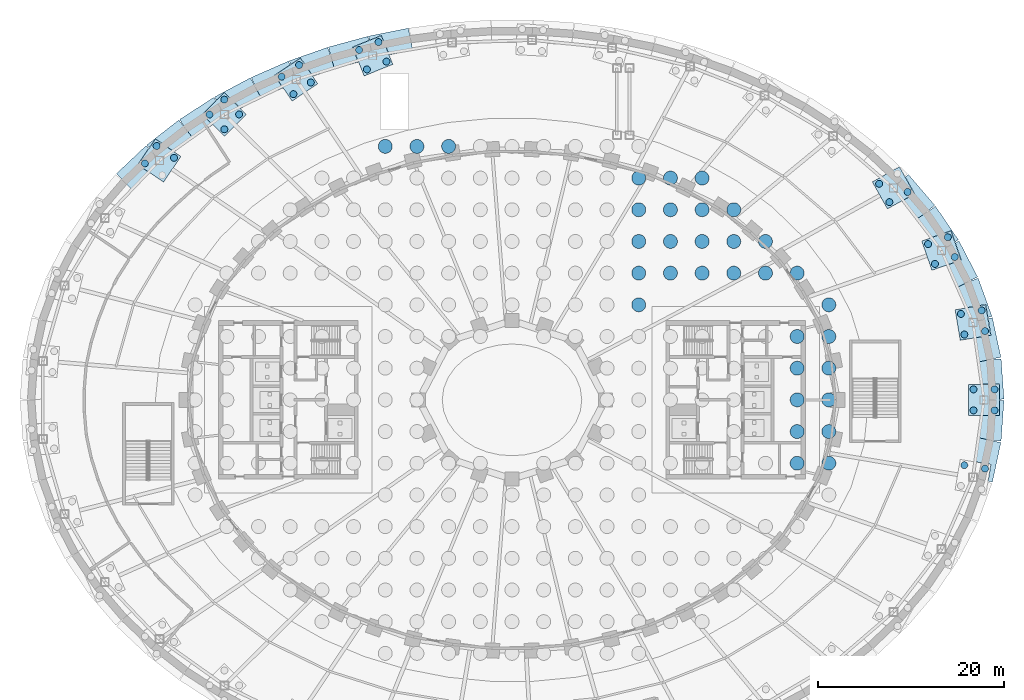
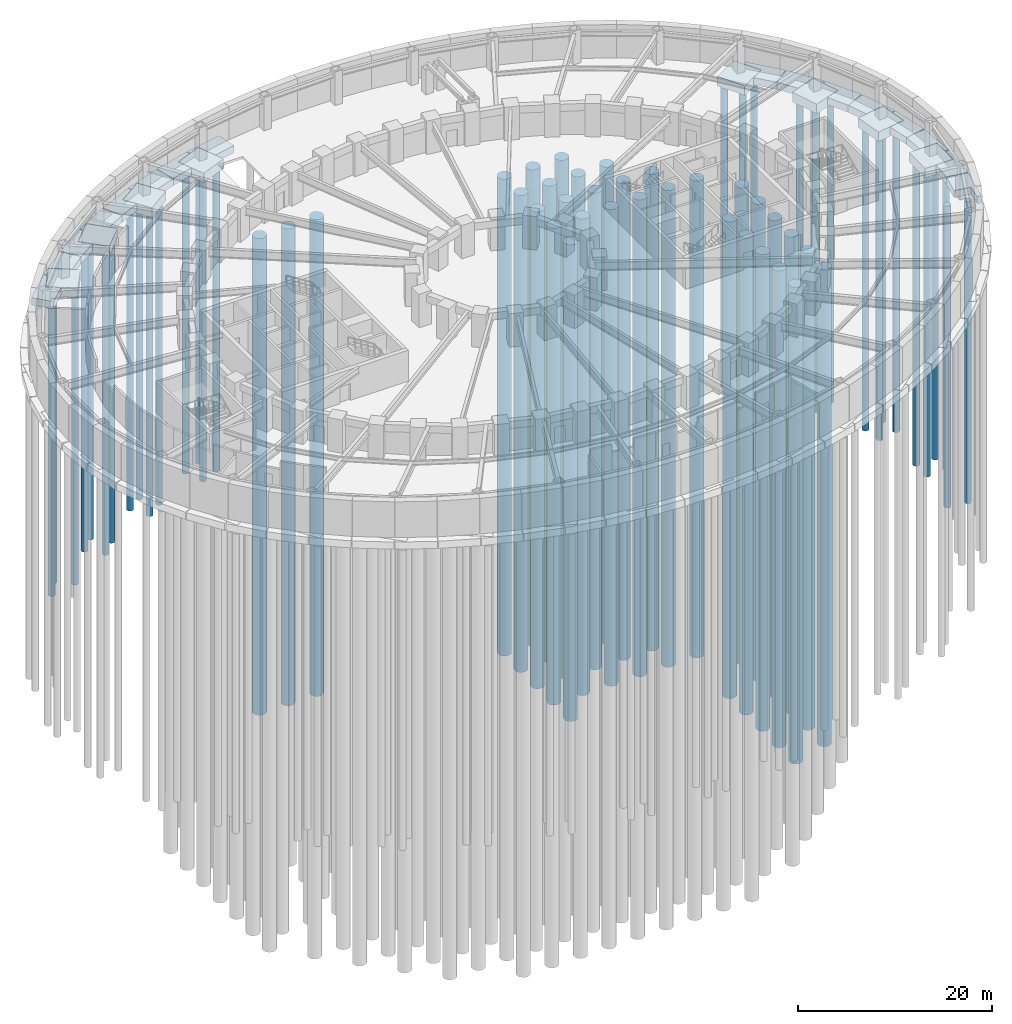
# One storey, part 4 of 19: 65 piles, 24 footings.
"""IFC4 building model written with IfcOpenShell, lengths in metres."""

from ifc_helpers import new_model, si_unit, direction, frame, origin, origin_2d, place, context, subcontext, project, spatial, polyline, circle, outline, extrude, material, layer, layer_set, material_profile, profile_set, type_object, element, save


model = new_model("IFC4")

# Units and contexts
model_context = context("Model", 3, precision=1e-05, world=origin(), true_north=direction((0.0, 1.0)))
body_context = subcontext(model_context, "Body", "Model", "MODEL_VIEW")
ifc_project = project(units=[si_unit("LENGTHUNIT", "METRE"), si_unit("AREAUNIT", "SQUARE_METRE"), si_unit("VOLUMEUNIT", "CUBIC_METRE"), si_unit("PLANEANGLEUNIT", "RADIAN"), si_unit("MASSUNIT", "GRAM", prefix="KILO")], contexts=[model_context])

# Site, building, storey
site_placement = place(None, origin())
site = spatial("IfcSite", under=ifc_project, at=site_placement, CompositionType="ELEMENT")
building_placement = place(site_placement, origin())
building = spatial("IfcBuilding", under=site, at=building_placement, Name="Noorbagh Ring Tower", CompositionType="ELEMENT")
storey_placement = place(building_placement, frame((0.0, 0.0, -8.39990234375)))
storey = spatial("IfcBuildingStorey", under=building, at=storey_placement, Name="B2", CompositionType="ELEMENT", Elevation=-8.39990234375)

# Footings
ifc_material_1 = material(Name="Concrete C50/60", Category="concrete")
ifc_layer_1 = layer(ifc_material_1, 1.199951171875)
ifc_layer_set_1 = layer_set([ifc_layer_1], Name="Concrete C50/60")
footing_type_1 = type_object("IfcFootingType", Name="GND-PODIUM-CAP", PredefinedType="PILE_CAP", material=ifc_layer_set_1)
footing_1_placement = place(storey_placement, frame((0.0, 0.0, -1.5)))
element("IfcFooting", 1, at=footing_1_placement, inside=storey, type_object=footing_type_1, Name="B2/cap/RP-01", PredefinedType="PILE_CAP", context=body_context, shape_type="SweptSolid", body=[
    extrude(outline(polyline([(48.986572265625, -1.659912109375), (52.306640625, -1.659912109375), (52.306640625, 1.659912109375), (48.986572265625, 1.659912109375), (48.986572265625, -1.659912109375)])), origin(), (0.0, 0.0, 1.0), 1.199951171875),
])
footing_2_placement = place(storey_placement, frame((0.0, 0.0, -1.5)))
element("IfcFooting", 2, at=footing_2_placement, inside=storey, type_object=footing_type_1, Name="B2/cap/RP-02", PredefinedType="PILE_CAP", context=body_context, shape_type="SweptSolid", body=[
    extrude(outline(polyline([(48.0986328125, 6.392333984375), (51.372802734375, 6.942138671875), (50.8232421875, 10.21630859375), (47.549072265625, 9.66650390625), (48.0986328125, 6.392333984375)])), origin(), (0.0, 0.0, 1.0), 1.199951171875),
])
footing_3_placement = place(storey_placement, frame((0.0, 0.0, -1.5)))
element("IfcFooting", 3, at=footing_3_placement, inside=storey, type_object=footing_type_1, Name="B2/cap/RP-03", PredefinedType="PILE_CAP", context=body_context, shape_type="SweptSolid", body=[
    extrude(outline(polyline([(45.05859375, 13.908203125), (48.1943359375, 14.998291015625), (47.104248046875, 18.13427734375), (43.96826171875, 17.0439453125), (45.05859375, 13.908203125)])), origin(), (0.0, 0.0, 1.0), 1.199951171875),
])
footing_4_placement = place(storey_placement, frame((0.0, 0.0, -1.5)))
element("IfcFooting", 4, at=footing_4_placement, inside=storey, type_object=footing_type_1, Name="B2/cap/RP-04", PredefinedType="PILE_CAP", context=body_context, shape_type="SweptSolid", body=[
    extrude(outline(polyline([(40.283447265625, 20.492431640625), (43.18505859375, 22.10546875), (41.572265625, 25.00732421875), (38.67041015625, 23.394287109375), (40.283447265625, 20.492431640625)])), origin(), (0.0, 0.0, 1.0), 1.199951171875),
])
footing_5_placement = place(storey_placement, frame((0.0, 0.0, -1.5)))
element("IfcFooting", 5, at=footing_5_placement, inside=storey, type_object=footing_type_1, Name="B2/cap/RP-11", PredefinedType="PILE_CAP", context=body_context, shape_type="SweptSolid", body=[
    extrude(outline(polyline([(-12.784423828125, 36.009033203125), (-14.030029296875, 39.086669921875), (-17.107666015625, 37.8408203125), (-15.862060546875, 34.763427734375), (-12.784423828125, 36.009033203125)])), origin(), (0.0, 0.0, 1.0), 1.199951171875),
])
footing_6_placement = place(storey_placement, frame((0.0, 0.0, -1.5)))
element("IfcFooting", 6, at=footing_6_placement, inside=storey, type_object=footing_type_1, Name="B2/cap/RP-12", PredefinedType="PILE_CAP", context=body_context, shape_type="SweptSolid", body=[
    extrude(outline(polyline([(-20.848388671875, 33.918212890625), (-22.703125, 36.671875), (-25.456787109375, 34.81689453125), (-23.601806640625, 32.0634765625), (-20.848388671875, 33.918212890625)])), origin(), (0.0, 0.0, 1.0), 1.199951171875),
])
footing_7_placement = place(storey_placement, frame((0.0, 0.0, -1.5)))
element("IfcFooting", 7, at=footing_7_placement, inside=storey, type_object=footing_type_1, Name="B2/cap/RP-13", PredefinedType="PILE_CAP", context=body_context, shape_type="SweptSolid", body=[
    extrude(outline(polyline([(-28.521728515625, 30.63818359375), (-30.87841796875, 32.9765625), (-33.216796875, 30.619873046875), (-30.860107421875, 28.281494140625), (-28.521728515625, 30.63818359375)])), origin(), (0.0, 0.0, 1.0), 1.199951171875),
])
footing_8_placement = place(storey_placement, frame((0.0, 0.0, -1.5)))
element("IfcFooting", 8, at=footing_8_placement, inside=storey, type_object=footing_type_1, Name="B2/cap/RP-14", PredefinedType="PILE_CAP", context=body_context, shape_type="SweptSolid", body=[
    extrude(outline(polyline([(-35.52734375, 26.12109375), (-38.2744140625, 27.985595703125), (-40.138916015625, 25.238525390625), (-37.391845703125, 23.3740234375), (-35.52734375, 26.12109375)])), origin(), (0.0, 0.0, 1.0), 1.199951171875),
])

# Piles
ifc_material_2 = material(Name="Concrete C50/60", Category="concrete")
ifc_material_profile_1 = material_profile(ifc_material_2, circle(Radius=0.375, at=origin_2d()), Name="PILE750")
ifc_profile_set_1 = profile_set([ifc_material_profile_1], Name="Concrete C50/60")
pile_type_1 = type_object("IfcPileType", Name="GND-PODIUM-PILE", PredefinedType="BORED", material=ifc_profile_set_1)
for number, where, z_axis, x_axis, name in (
    (9, (49.521484375, -1.125, -1.400146484375), (0.0, 0.0, -1.0), (1.0, 0.0, 0.0), "B2/pile/RP-01-1"),
    (10, (49.521484375, 1.125, -1.400146484375), (0.0, 0.0, -1.0), (1.0, 0.0, 0.0), "B2/pile/RP-01-2"),
    (11, (51.771484375, -1.125, -1.400146484375), (0.0, 0.0, -1.0), (1.0, 0.0, 0.0), "B2/pile/RP-01-3"),
    (12, (51.771484375, 1.125, -1.400146484375), (0.0, 0.0, -1.0), (1.0, 0.0, 0.0), "B2/pile/RP-01-4"),
    (13, (48.537841796875, 7.008544921875, -1.400146484375), (0.0, 0.0, -1.0), (1.0, 0.0, 0.0), "B2/pile/RP-02-1"),
    (14, (48.165283203125, 9.2275390625, -1.400146484375), (0.0, 0.0, -1.0), (1.0, 0.0, 0.0), "B2/pile/RP-02-2"),
    (15, (50.7568359375, 7.381103515625, -1.400146484375), (0.0, 0.0, -1.0), (1.0, 0.0, 0.0), "B2/pile/RP-02-3"),
    (16, (50.38427734375, 9.60009765625, -1.400146484375), (0.0, 0.0, -1.0), (1.0, 0.0, 0.0), "B2/pile/RP-02-4"),
    (17, (45.38818359375, 14.589111328125, -1.400146484375), (0.0, 0.0, -1.0), (1.0, 0.0, 0.0), "B2/pile/RP-03-1"),
    (18, (44.649169921875, 16.71435546875, -1.400146484375), (0.0, 0.0, -1.0), (1.0, 0.0, 0.0), "B2/pile/RP-03-2"),
    (19, (47.513427734375, 15.328125, -1.400146484375), (0.0, 0.0, -1.0), (1.0, 0.0, 0.0), "B2/pile/RP-03-3"),
    (20, (46.7744140625, 17.453125, -1.400146484375), (0.0, 0.0, -1.0), (1.0, 0.0, 0.0), "B2/pile/RP-03-4"),
    (21, (40.490966796875, 21.219970703125, -1.400146484375), (0.0, 0.0, -1.0), (1.0, 0.0, 0.0), "B2/pile/RP-04-1"),
    (22, (39.39794921875, 23.186767578125, -1.400146484375), (0.0, 0.0, -1.0), (1.0, 0.0, 0.0), "B2/pile/RP-04-2"),
    (23, (42.45751953125, 22.313232421875, -1.400146484375), (0.0, 0.0, -1.0), (1.0, 0.0, 0.0), "B2/pile/RP-04-3"),
    (24, (-13.481201171875, 36.30419921875, -1.400146484375), (0.0, 0.0, -1.0), (1.0, 0.0, 0.0), "B2/pile/RP-11-1"),
    (25, (-15.566650390625, 35.460205078125, -1.400146484375), (0.0, 0.0, -1.0), (1.0, 0.0, 0.0), "B2/pile/RP-11-2"),
    (26, (-14.325439453125, 38.389892578125, -1.400146484375), (0.0, 0.0, -1.0), (1.0, 0.0, 0.0), "B2/pile/RP-11-3"),
    (27, (-16.410888671875, 37.545654296875, -1.400146484375), (0.0, 0.0, -1.0), (1.0, 0.0, 0.0), "B2/pile/RP-11-4"),
    (28, (-21.5908203125, 34.063232421875, -1.400146484375), (0.0, 0.0, -1.0), (1.0, 0.0, 0.0), "B2/pile/RP-12-1"),
    (29, (-23.45703125, 32.805908203125, -1.400146484375), (0.0, 0.0, -1.0), (1.0, 0.0, 0.0), "B2/pile/RP-12-2"),
    (30, (-22.847900390625, 35.92919921875, -1.400146484375), (0.0, 0.0, -1.0), (1.0, 0.0, 0.0), "B2/pile/RP-12-3"),
    (31, (-24.714111328125, 34.672119140625, -1.400146484375), (0.0, 0.0, -1.0), (1.0, 0.0, 0.0), "B2/pile/RP-12-4"),
    (32, (-29.2783203125, 30.63525390625, -1.400146484375), (0.0, 0.0, -1.0), (1.0, 0.0, 0.0), "B2/pile/RP-13-1"),
    (33, (-30.863037109375, 29.0380859375, -1.400146484375), (0.0, 0.0, -1.0), (1.0, 0.0, 0.0), "B2/pile/RP-13-2"),
    (34, (-30.87548828125, 32.219970703125, -1.400146484375), (0.0, 0.0, -1.0), (1.0, 0.0, 0.0), "B2/pile/RP-13-3"),
    (35, (-32.460205078125, 30.622802734375, -1.400146484375), (0.0, 0.0, -1.0), (1.0, 0.0, 0.0), "B2/pile/RP-13-4"),
    (36, (-36.2705078125, 25.978759765625, -1.400146484375), (0.0, 0.0, -1.0), (1.0, 0.0, 0.0), "B2/pile/RP-14-1"),
    (37, (-38.132080078125, 27.242431640625, -1.400146484375), (0.0, 0.0, -1.0), (1.0, 0.0, 0.0), "B2/pile/RP-14-3"),
    (38, (-39.395751953125, 25.380859375, -1.400146484375), (0.0, 0.0, -1.0), (1.0, 0.0, 0.0), "B2/pile/RP-14-4"),
    (39, (48.537841796875, -7.008544921875, -1.400146484375), (0.0, 0.0, -1.0), (1.0, 0.0, 0.0), "B2/pile/RP-33-2"),
    (40, (50.7568359375, -7.381103515625, -1.400146484375), (0.0, 0.0, -1.0), (1.0, 0.0, 0.0), "B2/pile/RP-33-4"),
):
    element("IfcPile", number, at=place(storey_placement, frame(where, z_axis=z_axis, x_axis=x_axis)), inside=storey, type_object=pile_type_1, Name=name, PredefinedType="BORED", context=body_context, shape_type="SweptSolid", body=[
        extrude(circle(Radius=0.375, at=origin_2d()), origin(), (0.0, 0.0, 1.0), 38.0),
    ])
ifc_material_3 = material(Name="Concrete C40/50", Category="concrete")
ifc_material_profile_2 = material_profile(ifc_material_3, circle(Radius=0.75, at=origin_2d()), Name="PILE1500")
ifc_profile_set_2 = profile_set([ifc_material_profile_2], Name="Concrete C40/50")
pile_type_2 = type_object("IfcPileType", Name="STR-PILE", PredefinedType="BORED", material=ifc_profile_set_2)
for number, where, z_axis, x_axis, name in (
    (41, (-13.60009765625, 27.199951171875, -4.2001953125), (0.0, 0.0, -1.0), (1.0, 0.0, 0.0), "B2/pile/052"),
    (42, (-10.199951171875, 27.199951171875, -4.2001953125), (0.0, 0.0, -1.0), (1.0, 0.0, 0.0), "B2/pile/069"),
    (43, (-6.800048828125, 27.199951171875, -4.2001953125), (0.0, 0.0, -1.0), (1.0, 0.0, 0.0), "B2/pile/083"),
    (44, (13.60009765625, 10.199951171875, -4.2001953125), (0.0, 0.0, -1.0), (1.0, 0.0, 0.0), "B2/pile/166"),
    (45, (13.60009765625, 13.60009765625, -4.2001953125), (0.0, 0.0, -1.0), (1.0, 0.0, 0.0), "B2/pile/167"),
    (46, (13.60009765625, 17.0, -4.2001953125), (0.0, 0.0, -1.0), (1.0, 0.0, 0.0), "B2/pile/168"),
    (47, (13.60009765625, 20.39990234375, -4.2001953125), (0.0, 0.0, -1.0), (1.0, 0.0, 0.0), "B2/pile/169"),
    (48, (13.60009765625, 23.800048828125, -4.2001953125), (0.0, 0.0, -1.0), (1.0, 0.0, 0.0), "B2/pile/170"),
    (49, (17.0, 13.60009765625, -4.2001953125), (0.0, 0.0, -1.0), (1.0, 0.0, 0.0), "B2/pile/176"),
    (50, (17.0, 17.0, -4.2001953125), (0.0, 0.0, -1.0), (1.0, 0.0, 0.0), "B2/pile/177"),
    (51, (17.0, 20.39990234375, -4.2001953125), (0.0, 0.0, -1.0), (1.0, 0.0, 0.0), "B2/pile/178"),
    (52, (17.0, 23.800048828125, -4.2001953125), (0.0, 0.0, -1.0), (1.0, 0.0, 0.0), "B2/pile/179"),
    (53, (20.39990234375, 13.60009765625, -4.2001953125), (0.0, 0.0, -1.0), (1.0, 0.0, 0.0), "B2/pile/184"),
    (54, (20.39990234375, 17.0, -4.2001953125), (0.0, 0.0, -1.0), (1.0, 0.0, 0.0), "B2/pile/185"),
    (55, (20.39990234375, 20.39990234375, -4.2001953125), (0.0, 0.0, -1.0), (1.0, 0.0, 0.0), "B2/pile/186"),
    (56, (20.39990234375, 23.800048828125, -4.2001953125), (0.0, 0.0, -1.0), (1.0, 0.0, 0.0), "B2/pile/187"),
    (57, (23.800048828125, 13.60009765625, -4.2001953125), (0.0, 0.0, -1.0), (1.0, 0.0, 0.0), "B2/pile/191"),
    (58, (23.800048828125, 17.0, -4.2001953125), (0.0, 0.0, -1.0), (1.0, 0.0, 0.0), "B2/pile/192"),
    (59, (23.800048828125, 20.39990234375, -4.2001953125), (0.0, 0.0, -1.0), (1.0, 0.0, 0.0), "B2/pile/193"),
    (60, (27.199951171875, 13.60009765625, -4.2001953125), (0.0, 0.0, -1.0), (1.0, 0.0, 0.0), "B2/pile/196"),
    (61, (27.199951171875, 17.0, -4.2001953125), (0.0, 0.0, -1.0), (1.0, 0.0, 0.0), "B2/pile/197"),
    (62, (30.60009765625, 13.60009765625, -4.2001953125), (0.0, 0.0, -1.0), (1.0, 0.0, 0.0), "B2/pile/199"),
    (63, (34.0, -6.800048828125, -4.2001953125), (0.0, 0.0, -1.0), (1.0, 0.0, 0.0), "B2/pile/201"),
    (64, (34.0, -3.39990234375, -4.2001953125), (0.0, 0.0, -1.0), (1.0, 0.0, 0.0), "B2/pile/202"),
    (65, (34.0, 0.0, -4.2001953125), (0.0, 0.0, -1.0), (1.0, 0.0, 0.0), "B2/pile/203"),
    (66, (34.0, 3.39990234375, -4.2001953125), (0.0, 0.0, -1.0), (1.0, 0.0, 0.0), "B2/pile/204"),
    (67, (34.0, 6.800048828125, -4.2001953125), (0.0, 0.0, -1.0), (1.0, 0.0, 0.0), "B2/pile/205"),
    (68, (34.0, 10.199951171875, -4.2001953125), (0.0, 0.0, -1.0), (1.0, 0.0, 0.0), "B2/pile/206"),
    (69, (30.60009765625, -6.800048828125, -5.2001953125), (0.0, 0.0, -1.0), (1.0, 0.0, 0.0), "B2/pile/242"),
    (70, (30.60009765625, -3.39990234375, -5.2001953125), (0.0, 0.0, -1.0), (1.0, 0.0, 0.0), "B2/pile/243"),
    (71, (30.60009765625, 0.0, -5.2001953125), (0.0, 0.0, -1.0), (1.0, 0.0, 0.0), "B2/pile/244"),
    (72, (30.60009765625, 3.39990234375, -5.2001953125), (0.0, 0.0, -1.0), (1.0, 0.0, 0.0), "B2/pile/245"),
    (73, (30.60009765625, 6.800048828125, -5.2001953125), (0.0, 0.0, -1.0), (1.0, 0.0, 0.0), "B2/pile/246"),
):
    element("IfcPile", number, at=place(storey_placement, frame(where, z_axis=z_axis, x_axis=x_axis)), inside=storey, type_object=pile_type_2, Name=name, PredefinedType="BORED", context=body_context, shape_type="SweptSolid", body=[
        extrude(circle(Radius=0.75, at=origin_2d()), origin(), (0.0, 0.0, 1.0), 60.0),
    ])

# Footings
ifc_material_4 = material(Name="Concrete C40/50", Category="concrete")
ifc_layer_2 = layer(ifc_material_4, 0.89990234375)
ifc_layer_set_2 = layer_set([ifc_layer_2], Name="Concrete C40/50")
footing_type_2 = type_object("IfcFootingType", Name="STR-RETAINING-FOOTING", PredefinedType="STRIP_FOOTING", material=ifc_layer_set_2)
footing_9_placement = place(storey_placement, frame((0.0, 0.0, -1.2001953125)))
element("IfcFooting", 74, at=footing_9_placement, inside=storey, type_object=footing_type_2, Name="B2/footing/ret-01", PredefinedType="STRIP_FOOTING", context=body_context, shape_type="SweptSolid", body=[
    extrude(outline(polyline([(52.48681640625, 4.411865234375), (52.7958984375, 0.08544921875), (52.32666015625, 0.052001953125), (52.32666015625, 1.659912109375), (52.326416015625, 1.662109375), (52.326171875, 1.663818359375), (52.32568359375, 1.665771484375), (52.324951171875, 1.667724609375), (52.32421875, 1.66943359375), (52.3232421875, 1.671142578125), (52.322021484375, 1.672607421875), (52.32080078125, 1.674072265625), (52.319091796875, 1.675537109375), (52.317626953125, 1.676513671875), (52.31591796875, 1.677490234375), (52.314208984375, 1.678466796875), (52.3125, 1.67919921875), (52.310546875, 1.6796875), (52.30859375, 1.679931640625), (52.306640625, 1.679931640625), (50.27587890625, 1.679931640625), (50.093017578125, 4.24072265625), (52.48681640625, 4.411865234375)])), origin(), (0.0, 0.0, 1.0), 0.900146484375),
])
footing_10_placement = place(storey_placement, frame((0.0, 0.0, -1.2001953125)))
element("IfcFooting", 75, at=footing_10_placement, inside=storey, type_object=footing_type_2, Name="B2/footing/ret-02", PredefinedType="STRIP_FOOTING", context=body_context, shape_type="SweptSolid", body=[
    extrude(outline(polyline([(51.549072265625, 8.820556640625), (52.462890625, 4.5791015625), (50.11669921875, 4.073486328125), (49.568359375, 6.618896484375), (51.376220703125, 6.922607421875), (51.378173828125, 6.9228515625), (51.3798828125, 6.923583984375), (51.3818359375, 6.92431640625), (51.383544921875, 6.92529296875), (51.385009765625, 6.92626953125), (51.38671875, 6.927490234375), (51.387939453125, 6.928955078125), (51.38916015625, 6.9306640625), (51.390380859375, 6.93212890625), (51.39111328125, 6.93408203125), (51.391845703125, 6.935791015625), (51.392333984375, 6.937744140625), (51.392822265625, 6.939697265625), (51.392822265625, 6.941650390625), (51.392822265625, 6.943603515625), (51.392578125, 6.945556640625), (51.09423828125, 8.722412109375), (51.549072265625, 8.820556640625)])), origin(), (0.0, 0.0, 1.0), 0.900146484375),
])
footing_11_placement = place(storey_placement, frame((0.0, 0.0, -1.2001953125)))
element("IfcFooting", 76, at=footing_11_placement, inside=storey, type_object=footing_type_2, Name="B2/footing/ret-03", PredefinedType="STRIP_FOOTING", context=body_context, shape_type="SweptSolid", body=[
    extrude(outline(polyline([(50.022216796875, 13.05810546875), (51.50390625, 8.977294921875), (51.077392578125, 8.822509765625), (50.843017578125, 10.2197265625), (50.842529296875, 10.2216796875), (50.841796875, 10.223388671875), (50.841064453125, 10.22509765625), (50.840087890625, 10.22705078125), (50.839111328125, 10.228515625), (50.837890625, 10.22998046875), (50.836181640625, 10.2314453125), (50.834716796875, 10.232666015625), (50.8330078125, 10.233642578125), (50.831298828125, 10.234619140625), (50.82958984375, 10.2353515625), (50.82763671875, 10.23583984375), (50.82568359375, 10.236083984375), (50.82373046875, 10.236328125), (50.82177734375, 10.236328125), (50.81982421875, 10.236083984375), (48.627197265625, 9.867919921875), (47.766357421875, 12.239013671875), (50.022216796875, 13.05810546875)])), origin(), (0.0, 0.0, 1.0), 0.900146484375),
])
footing_12_placement = place(storey_placement, frame((0.0, 0.0, -1.2001953125)))
element("IfcFooting", 77, at=footing_12_placement, inside=storey, type_object=footing_type_2, Name="B2/footing/ret-04", PredefinedType="STRIP_FOOTING", context=body_context, shape_type="SweptSolid", body=[
    extrude(outline(polyline([(47.96484375, 17.0595703125), (49.96044921875, 13.19970703125), (47.828369140625, 12.09765625), (46.622314453125, 14.4306640625), (48.200927734375, 14.9794921875), (48.202880859375, 14.980224609375), (48.20458984375, 14.981201171875), (48.206298828125, 14.982177734375), (48.207763671875, 14.9833984375), (48.208984375, 14.98486328125), (48.210205078125, 14.986328125), (48.21142578125, 14.98779296875), (48.21240234375, 14.98974609375), (48.213134765625, 14.991455078125), (48.213623046875, 14.993408203125), (48.214111328125, 14.995361328125), (48.21435546875, 14.997314453125), (48.21435546875, 14.999267578125), (48.214111328125, 15.001220703125), (48.2138671875, 15.003173828125), (48.21337890625, 15.0048828125), (47.56982421875, 16.855224609375), (47.96484375, 17.0595703125)])), origin(), (0.0, 0.0, 1.0), 0.900146484375),
])
footing_13_placement = place(storey_placement, frame((0.0, 0.0, -1.2001953125)))
element("IfcFooting", 78, at=footing_13_placement, inside=storey, type_object=footing_type_2, Name="B2/footing/ret-05", PredefinedType="STRIP_FOOTING", context=body_context, shape_type="SweptSolid", body=[
    extrude(outline(polyline([(45.44384765625, 20.77880859375), (47.890869140625, 17.18359375), (47.5390625, 16.944091796875), (47.123046875, 18.140869140625), (47.122314453125, 18.142578125), (47.121337890625, 18.144287109375), (47.120361328125, 18.14599609375), (47.119140625, 18.1474609375), (47.11767578125, 18.14892578125), (47.1162109375, 18.150146484375), (47.114501953125, 18.1513671875), (47.11279296875, 18.152099609375), (47.111083984375, 18.153076171875), (47.109130859375, 18.153564453125), (47.107177734375, 18.154052734375), (47.105224609375, 18.154296875), (47.103271484375, 18.154296875), (47.101318359375, 18.154052734375), (47.099365234375, 18.15380859375), (47.09765625, 18.153076171875), (44.85791015625, 17.37451171875), (43.459716796875, 19.42822265625), (45.44384765625, 20.77880859375)])), origin(), (0.0, 0.0, 1.0), 0.900146484375),
])
footing_14_placement = place(storey_placement, frame((0.0, 0.0, -1.2001953125)))
element("IfcFooting", 79, at=footing_14_placement, inside=storey, type_object=footing_type_2, Name="B2/footing/ret-06", PredefinedType="STRIP_FOOTING", context=body_context, shape_type="SweptSolid", body=[
    extrude(outline(polyline([(42.527099609375, 24.187744140625), (45.3623046875, 20.885009765625), (43.541259765625, 19.32177734375), (41.82177734375, 21.32470703125), (43.19482421875, 22.088134765625), (43.196533203125, 22.089111328125), (43.197998046875, 22.09033203125), (43.199462890625, 22.091552734375), (43.20068359375, 22.093017578125), (43.201904296875, 22.0947265625), (43.202880859375, 22.096435546875), (43.203857421875, 22.09814453125), (43.204345703125, 22.10009765625), (43.204833984375, 22.10205078125), (43.205078125, 22.10400390625), (43.205078125, 22.10595703125), (43.205078125, 22.10791015625), (43.20458984375, 22.10986328125), (43.2041015625, 22.11181640625), (43.20361328125, 22.113525390625), (43.20263671875, 22.115234375), (42.20458984375, 23.910888671875), (42.527099609375, 24.187744140625)])), origin(), (0.0, 0.0, 1.0), 0.900146484375),
])
footing_15_placement = place(storey_placement, frame((0.0, 0.0, -1.2001953125)))
element("IfcFooting", 80, at=footing_15_placement, inside=storey, type_object=footing_type_2, Name="B2/footing/ret-20", PredefinedType="STRIP_FOOTING", context=body_context, shape_type="SweptSolid", body=[
    extrude(outline(polyline([(-15.400634765625, 39.026611328125), (-11.115966796875, 39.885498046875), (-10.644287109375, 37.532470703125), (-13.17431640625, 37.025146484375), (-14.01171875, 39.093994140625), (-14.012451171875, 39.095947265625), (-14.013427734375, 39.09765625), (-14.0146484375, 39.09912109375), (-14.015869140625, 39.1005859375), (-14.017333984375, 39.101806640625), (-14.018798828125, 39.10302734375), (-14.0205078125, 39.10400390625), (-14.022216796875, 39.10498046875), (-14.024169921875, 39.105712890625), (-14.026123046875, 39.106201171875), (-14.028076171875, 39.1064453125), (-14.030029296875, 39.106689453125), (-14.031982421875, 39.1064453125), (-14.033935546875, 39.106201171875), (-14.035888671875, 39.105712890625), (-14.03759765625, 39.10498046875), (-15.31298828125, 38.5888671875), (-15.400634765625, 39.026611328125)])), origin(), (0.0, 0.0, 1.0), 0.900146484375),
])
footing_16_placement = place(storey_placement, frame((0.0, 0.0, -1.2001953125)))
element("IfcFooting", 81, at=footing_16_placement, inside=storey, type_object=footing_type_2, Name="B2/footing/ret-21", PredefinedType="STRIP_FOOTING", context=body_context, shape_type="SweptSolid", body=[
    extrude(outline(polyline([(-19.695556640625, 37.85693359375), (-15.480712890625, 39.0078125), (-15.361083984375, 38.5693359375), (-17.114990234375, 37.859619140625), (-17.116943359375, 37.858642578125), (-17.11865234375, 37.857666015625), (-17.1201171875, 37.8564453125), (-17.12158203125, 37.855224609375), (-17.123046875, 37.853759765625), (-17.1240234375, 37.852294921875), (-17.125244140625, 37.8505859375), (-17.1259765625, 37.8486328125), (-17.126708984375, 37.846923828125), (-17.127197265625, 37.844970703125), (-17.12744140625, 37.843017578125), (-17.127685546875, 37.841064453125), (-17.12744140625, 37.839111328125), (-17.127197265625, 37.837158203125), (-17.126708984375, 37.835205078125), (-17.126220703125, 37.83349609375), (-16.483642578125, 36.24609375), (-19.0634765625, 35.541748046875), (-19.695556640625, 37.85693359375)])), origin(), (0.0, 0.0, 1.0), 0.900146484375),
])
footing_17_placement = place(storey_placement, frame((0.0, 0.0, -1.2001953125)))
element("IfcFooting", 82, at=footing_17_placement, inside=storey, type_object=footing_type_2, Name="B2/footing/ret-22", PredefinedType="STRIP_FOOTING", context=body_context, shape_type="SweptSolid", body=[
    extrude(outline(polyline([(-23.898193359375, 36.384521484375), (-19.777099609375, 37.83154296875), (-18.98193359375, 35.567138671875), (-21.3701171875, 34.728515625), (-22.6865234375, 36.68310546875), (-22.687744140625, 36.6845703125), (-22.689208984375, 36.68603515625), (-22.690673828125, 36.687255859375), (-22.692138671875, 36.6884765625), (-22.69384765625, 36.689453125), (-22.695556640625, 36.690185546875), (-22.697509765625, 36.69091796875), (-22.699462890625, 36.69140625), (-22.701416015625, 36.691650390625), (-22.703369140625, 36.69189453125), (-22.705078125, 36.691650390625), (-22.707275390625, 36.69140625), (-22.708984375, 36.69091796875), (-22.7109375, 36.690185546875), (-22.712646484375, 36.689453125), (-22.71435546875, 36.6884765625), (-23.758056640625, 35.9853515625), (-23.898193359375, 36.384521484375)])), origin(), (0.0, 0.0, 1.0), 0.900146484375),
])
footing_18_placement = place(storey_placement, frame((0.0, 0.0, -1.2001953125)))
element("IfcFooting", 83, at=footing_18_placement, inside=storey, type_object=footing_type_2, Name="B2/footing/ret-23", PredefinedType="STRIP_FOOTING", context=body_context, shape_type="SweptSolid", body=[
    extrude(outline(polyline([(-27.98193359375, 34.603271484375), (-23.981201171875, 36.351806640625), (-23.806640625, 35.95263671875), (-25.468017578125, 34.83349609375), (-25.469482421875, 34.832275390625), (-25.470947265625, 34.8310546875), (-25.47216796875, 34.82958984375), (-25.473388671875, 34.827880859375), (-25.474365234375, 34.826171875), (-25.47509765625, 34.824462890625), (-25.475830078125, 34.822509765625), (-25.476318359375, 34.82080078125), (-25.4765625, 34.81884765625), (-25.476806640625, 34.81689453125), (-25.4765625, 34.814697265625), (-25.476318359375, 34.81298828125), (-25.475830078125, 34.81103515625), (-25.47509765625, 34.80908203125), (-25.474365234375, 34.807373046875), (-25.473388671875, 34.8056640625), (-24.575439453125, 33.472900390625), (-27.020751953125, 32.404296875), (-27.98193359375, 34.603271484375)])), origin(), (0.0, 0.0, 1.0), 0.900146484375),
])
footing_19_placement = place(storey_placement, frame((0.0, 0.0, -1.2001953125)))
element("IfcFooting", 84, at=footing_19_placement, inside=storey, type_object=footing_type_2, Name="B2/footing/ret-24", PredefinedType="STRIP_FOOTING", context=body_context, shape_type="SweptSolid", body=[
    extrude(outline(polyline([(-31.91650390625, 32.507080078125), (-28.06640625, 34.5625), (-26.936279296875, 32.445068359375), (-29.1328125, 31.272705078125), (-30.864501953125, 32.990966796875), (-30.865966796875, 32.9921875), (-30.867431640625, 32.993408203125), (-30.869140625, 32.994384765625), (-30.870849609375, 32.9951171875), (-30.872802734375, 32.995849609375), (-30.874755859375, 32.996337890625), (-30.876708984375, 32.99658203125), (-30.878662109375, 32.99658203125), (-30.880615234375, 32.99658203125), (-30.882568359375, 32.996337890625), (-30.884521484375, 32.995849609375), (-30.88623046875, 32.9951171875), (-30.887939453125, 32.994384765625), (-30.8896484375, 32.993408203125), (-30.89111328125, 32.9921875), (-30.892578125, 32.99072265625), (-31.726318359375, 32.150634765625), (-31.91650390625, 32.507080078125)])), origin(), (0.0, 0.0, 1.0), 0.900146484375),
])
footing_20_placement = place(storey_placement, frame((0.0, 0.0, -1.2001953125)))
element("IfcFooting", 85, at=footing_20_placement, inside=storey, type_object=footing_type_2, Name="B2/footing/ret-25", PredefinedType="STRIP_FOOTING", context=body_context, shape_type="SweptSolid", body=[
    extrude(outline(polyline([(-35.666748046875, 30.090087890625), (-32.002685546875, 32.45654296875), (-31.77392578125, 32.1025390625), (-33.231201171875, 30.634033203125), (-33.232421875, 30.632568359375), (-33.233642578125, 30.631103515625), (-33.234619140625, 30.62939453125), (-33.2353515625, 30.62744140625), (-33.236083984375, 30.625732421875), (-33.236572265625, 30.623779296875), (-33.23681640625, 30.621826171875), (-33.23681640625, 30.619873046875), (-33.23681640625, 30.617919921875), (-33.236572265625, 30.615966796875), (-33.236083984375, 30.614013671875), (-33.2353515625, 30.6123046875), (-33.234619140625, 30.6103515625), (-33.2333984375, 30.60888671875), (-33.232421875, 30.607177734375), (-33.23095703125, 30.605712890625), (-32.13232421875, 29.515625), (-34.36474609375, 28.073974609375), (-35.666748046875, 30.090087890625)])), origin(), (0.0, 0.0, 1.0), 0.900146484375),
])
footing_21_placement = place(storey_placement, frame((0.0, 0.0, -1.2001953125)))
element("IfcFooting", 86, at=footing_21_placement, inside=storey, type_object=footing_type_2, Name="B2/footing/ret-26", PredefinedType="STRIP_FOOTING", context=body_context, shape_type="SweptSolid", body=[
    extrude(outline(polyline([(-39.191162109375, 27.34716796875), (-35.75390625, 30.0283203125), (-34.27783203125, 28.1357421875), (-36.223876953125, 26.617919921875), (-38.26318359375, 28.002197265625), (-38.264892578125, 28.003173828125), (-38.2666015625, 28.00390625), (-38.268310546875, 28.004638671875), (-38.270263671875, 28.005126953125), (-38.272216796875, 28.005615234375), (-38.274169921875, 28.005615234375), (-38.276123046875, 28.005615234375), (-38.278076171875, 28.00537109375), (-38.280029296875, 28.0048828125), (-38.281982421875, 28.004150390625), (-38.28369140625, 28.00341796875), (-38.285400390625, 28.002197265625), (-38.286865234375, 28.001220703125), (-38.288330078125, 28.0), (-38.289794921875, 27.998291015625), (-38.291015625, 27.996826171875), (-38.945556640625, 27.0322265625), (-39.191162109375, 27.34716796875)])), origin(), (0.0, 0.0, 1.0), 0.900146484375),
])
footing_22_placement = place(storey_placement, frame((0.0, 0.0, -1.2001953125)))
element("IfcFooting", 87, at=footing_22_placement, inside=storey, type_object=footing_type_2, Name="B2/footing/ret-27", PredefinedType="STRIP_FOOTING", context=body_context, shape_type="SweptSolid", body=[
    extrude(outline(polyline([(-42.441650390625, 24.27734375), (-39.2783203125, 27.2724609375), (-38.989501953125, 26.967529296875), (-40.155517578125, 25.25), (-40.156494140625, 25.248291015625), (-40.1572265625, 25.246337890625), (-40.157958984375, 25.24462890625), (-40.158447265625, 25.24267578125), (-40.15869140625, 25.24072265625), (-40.158935546875, 25.23876953125), (-40.15869140625, 25.23681640625), (-40.158447265625, 25.23486328125), (-40.158203125, 25.23291015625), (-40.157470703125, 25.231201171875), (-40.156494140625, 25.229248046875), (-40.155517578125, 25.2275390625), (-40.154296875, 25.22607421875), (-40.153076171875, 25.224609375), (-40.151611328125, 25.223388671875), (-40.150146484375, 25.22216796875), (-38.870361328125, 24.353515625), (-40.79150390625, 22.53466796875), (-42.441650390625, 24.27734375)])), origin(), (0.0, 0.0, 1.0), 0.900146484375),
])
footing_23_placement = place(storey_placement, frame((0.0, 0.0, -1.2001953125)))
element("IfcFooting", 88, at=footing_23_placement, inside=storey, type_object=footing_type_2, Name="B2/footing/ret-65", PredefinedType="STRIP_FOOTING", context=body_context, shape_type="SweptSolid", body=[
    extrude(outline(polyline([(52.462890625, -4.5791015625), (51.549072265625, -8.820556640625), (51.09423828125, -8.722412109375), (51.392578125, -6.945556640625), (51.392822265625, -6.943603515625), (51.392822265625, -6.941650390625), (51.392822265625, -6.939697265625), (51.392333984375, -6.937744140625), (51.391845703125, -6.935791015625), (51.39111328125, -6.93408203125), (51.390380859375, -6.93212890625), (51.38916015625, -6.9306640625), (51.387939453125, -6.928955078125), (51.38671875, -6.927490234375), (51.385009765625, -6.92626953125), (51.383544921875, -6.92529296875), (51.3818359375, -6.92431640625), (51.3798828125, -6.923583984375), (51.378173828125, -6.9228515625), (51.376220703125, -6.922607421875), (49.568359375, -6.618896484375), (50.11669921875, -4.073486328125), (52.462890625, -4.5791015625)])), origin(), (0.0, 0.0, 1.0), 0.900146484375),
])
footing_24_placement = place(storey_placement, frame((0.0, 0.0, -1.2001953125)))
element("IfcFooting", 89, at=footing_24_placement, inside=storey, type_object=footing_type_2, Name="B2/footing/ret-66", PredefinedType="STRIP_FOOTING", context=body_context, shape_type="SweptSolid", body=[
    extrude(outline(polyline([(52.7958984375, -0.08544921875), (52.48681640625, -4.411865234375), (50.093017578125, -4.24072265625), (50.27587890625, -1.679931640625), (52.306640625, -1.679931640625), (52.30859375, -1.679931640625), (52.310546875, -1.6796875), (52.3125, -1.67919921875), (52.314208984375, -1.678466796875), (52.31591796875, -1.677490234375), (52.317626953125, -1.676513671875), (52.319091796875, -1.675537109375), (52.32080078125, -1.674072265625), (52.322021484375, -1.672607421875), (52.3232421875, -1.671142578125), (52.32421875, -1.66943359375), (52.324951171875, -1.667724609375), (52.32568359375, -1.665771484375), (52.326171875, -1.663818359375), (52.326416015625, -1.662109375), (52.32666015625, -1.659912109375), (52.32666015625, -0.052001953125), (52.7958984375, -0.08544921875)])), origin(), (0.0, 0.0, 1.0), 0.900146484375),
])

save(model, "model.ifc")
